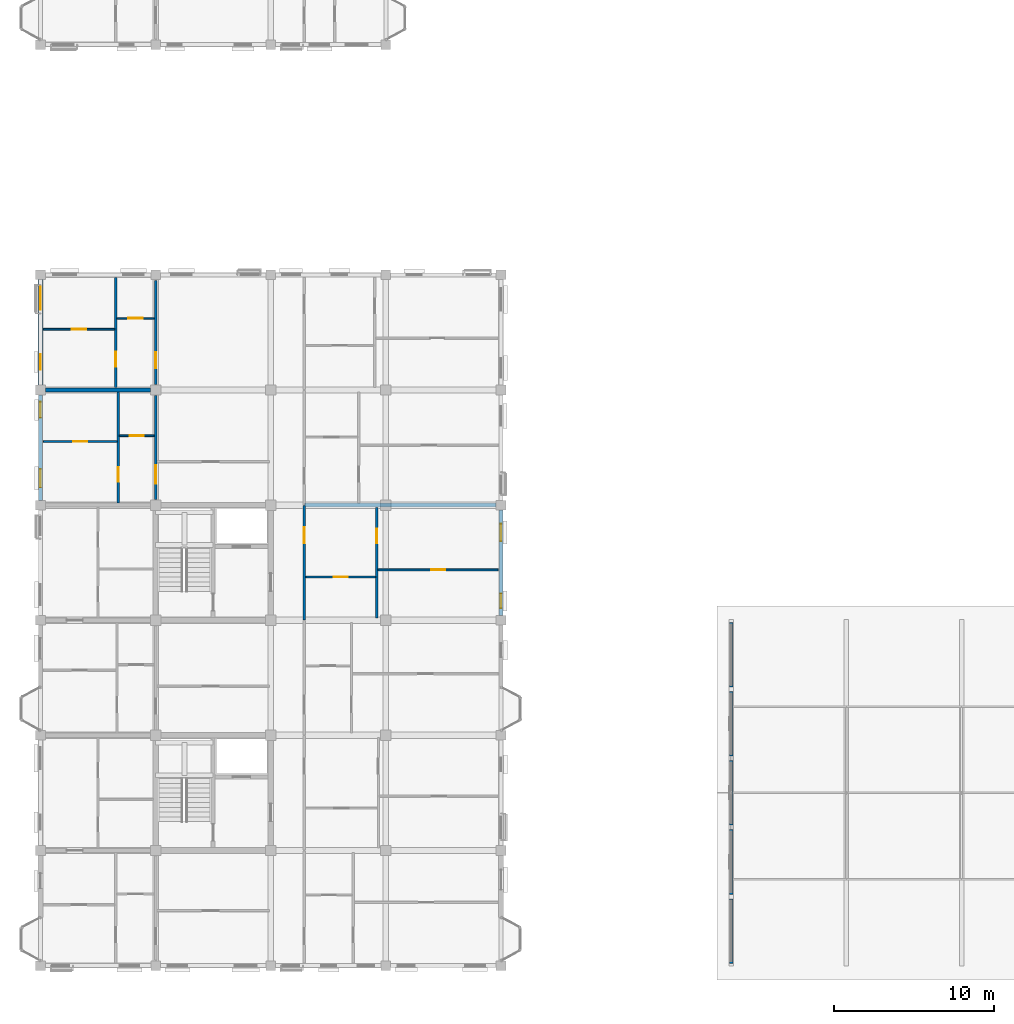
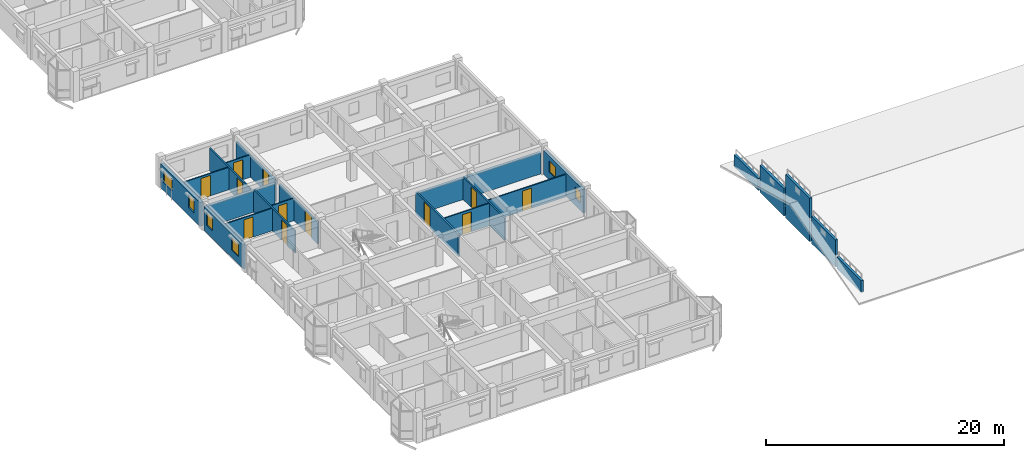
# One storey, part 92 of 124: 22 walls, 12 doors, 6 windows, 18 openings.
"""IFC4 building model written with IfcOpenShell, lengths in metres."""

import ifcopenshell
import ifcopenshell.guid

model = None  # the IFC model being written
_history = None  # IfcOwnerHistory: only IFC2X3 demands one
_inside = {}  # id of a spatial element -> (the spatial element, [elements in it])
_under = {}  # id of a project, library or spatial element -> (it, [spatial elements below it])
_declared = {}  # id of a project -> (the project, [libraries it declares])
_typed = {}  # id of a type object -> (the type object, [elements of that type])
_made_of = {}  # id of a material, layer set ... -> (it, [elements and type objects made of it])


def new_model(schema):
    """Start an empty IFC model of exactly this schema.

    Asked for "IFC4X3", IfcOpenShell would pick the latest addendum, in which some entities
    have other attributes; the version numbers below select the first issue.
    IFC2X3 requires an IfcOwnerHistory on every rooted entity: one is made here for all.
    """
    global model, _history
    if schema == "IFC4X3":
        model = ifcopenshell.file(schema_version=(4, 3, 0, 0))
    else:
        model = ifcopenshell.file(schema=schema)
    _inside.clear()
    _under.clear()
    _declared.clear()
    _typed.clear()
    _made_of.clear()
    _history = None
    if model.schema == "IFC2X3":
        org = make("IfcOrganization", Name="unknown")
        user = make(
            "IfcPersonAndOrganization",
            ThePerson=make("IfcPerson", FamilyName="unknown"),
            TheOrganization=org,
        )
        app = make(
            "IfcApplication",
            ApplicationDeveloper=org,
            Version="unknown",
            ApplicationFullName="unknown",
            ApplicationIdentifier="unknown",
        )
        _history = make(
            "IfcOwnerHistory",
            OwningUser=user,
            OwningApplication=app,
            ChangeAction="ADDED",
            CreationDate=0,
        )
    return model


def make(cls, **values):
    """One entity of the class cls with the attributes given. An attribute that is None is left unset."""
    return model.create_entity(
        cls, **{name: value for name, value in values.items() if value is not None}
    )


def rooted(cls, **values):
    """An entity with a GlobalId (a new one), such as an element, a storey or a relation."""
    return make(cls, GlobalId=ifcopenshell.guid.new(), OwnerHistory=_history, **values)


def si_unit(unit_type, name, prefix=None):
    """IfcSIUnit, for example si_unit("LENGTHUNIT", "METRE", prefix="MILLI")."""
    return make("IfcSIUnit", UnitType=unit_type, Prefix=prefix, Name=name)


def assignment(units):
    """IfcUnitAssignment: the units of a project."""
    return None if units is None else make("IfcUnitAssignment", Units=units)


def point(xyz):
    """IfcCartesianPoint."""
    return None if xyz is None else make("IfcCartesianPoint", Coordinates=xyz)


def direction(xyz):
    """IfcDirection."""
    return None if xyz is None else make("IfcDirection", DirectionRatios=xyz)


def frame(location, z_axis=None, x_axis=None):
    """IfcAxis2Placement3D, a coordinate frame: its origin and axes. An axis left out is left unset."""
    return make(
        "IfcAxis2Placement3D",
        Location=point(location),
        Axis=direction(z_axis),
        RefDirection=direction(x_axis),
    )


def frame_2d(location, x_axis=None):
    """IfcAxis2Placement2D, a coordinate frame in the plane: its origin and x axis."""
    return make(
        "IfcAxis2Placement2D", Location=point(location), RefDirection=direction(x_axis)
    )


def origin():
    """The frame at (0, 0, 0) with its axes left unset."""
    return frame((0.0, 0.0, 0.0))


def place(relative_to, where):
    """IfcLocalPlacement: puts the frame where relative to a parent placement (None: the world)."""
    return make(
        "IfcLocalPlacement", PlacementRelTo=relative_to, RelativePlacement=where
    )


def context(
    kind, dimensions, precision=None, world=None, true_north=None, identifier=None
):
    """IfcGeometricRepresentationContext, for example the 3D "Model" context."""
    return make(
        "IfcGeometricRepresentationContext",
        ContextIdentifier=identifier,
        ContextType=kind,
        CoordinateSpaceDimension=dimensions,
        Precision=precision,
        WorldCoordinateSystem=world,
        TrueNorth=true_north,
    )


def subcontext(parent, identifier, kind, view, scale=None):
    """IfcGeometricRepresentationSubContext, for example "Body" below "Model"."""
    return make(
        "IfcGeometricRepresentationSubContext",
        ContextIdentifier=identifier,
        ContextType=kind,
        ParentContext=parent,
        TargetScale=scale,
        TargetView=view,
    )


def project(units=None, contexts=None):
    """IfcProject with its units and contexts."""
    return rooted(
        "IfcProject",
        Name="project",
        RepresentationContexts=contexts,
        UnitsInContext=assignment(units),
    )


def spatial(cls, under=None, at=None, **own):
    """A site, building, storey or space (cls), placed at a placement, below another one or the project."""
    s = rooted(cls, ObjectPlacement=at, **own)
    if under is not None:
        _under.setdefault(under.id(), (under, []))[1].append(s)
    return s


def profile(cls, at=None, kind="AREA", **sizes):
    """A parametric profile (cls). Its sizes go by their IFC names, for example OverallWidth=200.0."""
    return make(cls, ProfileType=kind, Position=at, **sizes)


def rectangle(**sizes):
    """IfcRectangleProfileDef."""
    return profile("IfcRectangleProfileDef", **sizes)


def extrude(swept, where, along, depth):
    """IfcExtrudedAreaSolid: the profile swept, set in the frame where, extruded along a direction by depth."""
    return make(
        "IfcExtrudedAreaSolid",
        SweptArea=swept,
        Position=where,
        ExtrudedDirection=direction(along),
        Depth=depth,
    )


def shape(context_of_items, identifier, shape_type, items):
    """IfcShapeRepresentation: the items that make up one representation, for example the "Body"."""
    return make(
        "IfcShapeRepresentation",
        ContextOfItems=context_of_items,
        RepresentationIdentifier=identifier,
        RepresentationType=shape_type,
        Items=items,
    )


def material(Name=None, Category=None):
    """IfcMaterial."""
    return make("IfcMaterial", Name=Name, Category=Category)


def layer(
    of_material, thickness, ventilated=None, Name=None, Category=None, Priority=None
):
    """IfcMaterialLayer: one layer of a wall or slab, of a material (None: an air gap)."""
    return make(
        "IfcMaterialLayer",
        Material=of_material,
        LayerThickness=thickness,
        IsVentilated=ventilated,
        Name=Name,
        Category=Category,
        Priority=Priority,
    )


def layer_set(layers, Name=None):
    """IfcMaterialLayerSet."""
    return make("IfcMaterialLayerSet", MaterialLayers=layers, LayerSetName=Name)


def made_of(thing, what):
    """Note that an element or type object is made of a material, layer set ...; save() writes the relation."""
    if what is not None:
        _made_of.setdefault(what.id(), (what, []))[1].append(thing)
    return thing


def type_object(cls, material=None, **own):
    """A type object (cls), such as IfcWallType, which elements share."""
    return made_of(rooted(cls, **own), material)


def element(
    cls,
    number,
    at=None,
    inside=None,
    cuts=None,
    type_object=None,
    material=None,
    context=None,
    identifier="Body",
    shape_type=None,
    held_by="IfcProductDefinitionShape",
    body=None,
    shapes=None,
    **own,
):
    """One element of the class cls, such as IfcWall. Its Tag is "e" and its number.

    at: its placement. inside: the storey or other place that contains it. cuts: it is an
    opening in that element (IfcRelVoidsElement). A single representation is given by context,
    identifier, shape_type and body (its items); several are given by shapes. held_by: the class
    of the entity that holds the representations. save() writes the other relations.
    """
    e = rooted(cls, Tag="e%d" % number, ObjectPlacement=at, **own)
    if body is not None:
        shapes = [shape(context, identifier, shape_type, body)]
    if shapes is not None:
        e.Representation = make(held_by, Representations=shapes)
    if inside is not None:
        _inside.setdefault(inside.id(), (inside, []))[1].append(e)
    if cuts is not None:
        rooted(
            "IfcRelVoidsElement", RelatingBuildingElement=cuts, RelatedOpeningElement=e
        )
    if type_object is not None:
        _typed.setdefault(type_object.id(), (type_object, []))[1].append(e)
    return made_of(e, material)


def fill(opening, filler):
    """IfcRelFillsElement: the door or window that sits in an opening."""
    return rooted(
        "IfcRelFillsElement",
        RelatingOpeningElement=opening,
        RelatedBuildingElement=filler,
    )


def aggregate(whole, parts):
    """IfcRelAggregates: a whole, such as a stair, and the parts it consists of."""
    return rooted("IfcRelAggregates", RelatingObject=whole, RelatedObjects=parts)


def save(model, path):
    """Write the relations noted so far, then the file.

    IfcRelAggregates (storeys below a building ...), IfcRelContainedInSpatialStructure (elements
    in a storey), IfcRelDefinesByType, IfcRelAssociatesMaterial and IfcRelDeclares: one each for
    every whole, place, type object, material and project.
    """
    for whole, parts in _under.values():
        aggregate(whole, parts)
    for where, things in _inside.values():
        rooted(
            "IfcRelContainedInSpatialStructure",
            RelatedElements=things,
            RelatingStructure=where,
        )
    for kind, things in _typed.values():
        rooted("IfcRelDefinesByType", RelatedObjects=things, RelatingType=kind)
    for what, things in _made_of.values():
        rooted("IfcRelAssociatesMaterial", RelatedObjects=things, RelatingMaterial=what)
    for by, libraries in _declared.values():
        rooted("IfcRelDeclares", RelatingContext=by, RelatedDefinitions=libraries)
    model.write(path)


model = new_model("IFC4")

# Units and contexts
model_context = context("Model", 3, precision=1e-05, world=origin(), true_north=direction((0.0, 1.0)))
body_context = subcontext(model_context, "Body", "Model", "MODEL_VIEW")
ifc_project = project(units=[si_unit("LENGTHUNIT", "METRE"), si_unit("AREAUNIT", "SQUARE_METRE"), si_unit("VOLUMEUNIT", "CUBIC_METRE"), si_unit("PLANEANGLEUNIT", "RADIAN"), si_unit("MASSUNIT", "GRAM", prefix="KILO"), si_unit("THERMODYNAMICTEMPERATUREUNIT", "KELVIN"), si_unit("POWERUNIT", "WATT")], contexts=[model_context])

# Site, building, storey
site_placement = place(None, origin())
site = spatial("IfcSite", under=ifc_project, at=site_placement, CompositionType="ELEMENT")
building_placement = place(site_placement, origin())
building = spatial("IfcBuilding", under=site, at=building_placement, Name="Tavuni Mirador Residences", CompositionType="ELEMENT")
storey_placement = place(building_placement, frame((0.0, 0.0, 7.64990234375)))
storey = spatial("IfcBuildingStorey", under=building, at=storey_placement, Name="L02", CompositionType="ELEMENT", Elevation=7.64990234375)

# Wall, opening, door
ifc_material_1 = material(Name="Precast concrete C40/50", Category="concrete")
ifc_layer_1 = layer(ifc_material_1, 0.1650390625, Name="Precast concrete C40/50", Category="concrete")
ifc_layer_set_1 = layer_set([ifc_layer_1], Name="Precast concrete C40/50")
wall_type_1 = type_object("IfcWallType", Name="WT-CORR165", PredefinedType="PARTITIONING", material=ifc_layer_set_1)
wall_1_placement = place(storey_placement, frame((20.10009765625, 28.820068359375, 0.0), z_axis=(0.0, 0.0, 1.0), x_axis=(0.0, 1.0, 0.0)))
wall_1 = element("IfcWall", 1, at=wall_1_placement, inside=storey, type_object=wall_type_1, Name="CORW-BLK-A-L02-0-03", PredefinedType="PARTITIONING", context=body_context, shape_type="SweptSolid", body=[
    extrude(rectangle(XDim=7.159912109375, YDim=0.1650390625, at=frame_2d((3.580078125, 0.0))), origin(), (0.0, 0.0, 1.0), 2.30517578125),
])
opening_1_placement = place(wall_1_placement, frame((4.780029296875, 0.0, 0.0)))
opening_1 = element("IfcOpeningElement", 2, at=opening_1_placement, cuts=wall_1, Name="Opening D-03", PredefinedType="OPENING", context=body_context, shape_type="SweptSolid", body=[
    extrude(rectangle(XDim=1.0, YDim=2.14990234375, at=frame_2d((0.5, 1.074951171875))), frame((0.0, 0.092529296875, 0.0), z_axis=(0.0, -1.0, 0.0), x_axis=(1.0, 0.0, 0.0)), (0.0, 0.0, 1.0), 0.18505859375),
])
ifc_material_2 = material(Name="Solid core iroko timber", Category="wood")
door_type_1 = type_object("IfcDoorType", Name="DT-FD60-1000", OperationType="NOTDEFINED", PredefinedType="DOOR", material=ifc_material_2)
door_1_placement = place(opening_1_placement, origin())
door_1 = element("IfcDoor", 3, at=door_1_placement, inside=storey, type_object=door_type_1, Name="DR-2406", OperationType="SINGLE_SWING_LEFT", OverallHeight=2.14990234375, OverallWidth=1.0, PredefinedType="DOOR", context=body_context, shape_type="SweptSolid", body=[
    extrude(rectangle(XDim=1.0, YDim=2.14990234375, at=frame_2d((0.5, 1.074951171875))), frame((0.0, 0.02490234375, 0.0), z_axis=(0.0, -1.0, 0.0), x_axis=(1.0, 0.0, 0.0)), (0.0, 0.0, 1.0), 0.050048828125),
])
fill(opening_1, door_1)

wall_2_placement = place(storey_placement, frame((10.800048828125, 36.35009765625, 0.0), z_axis=(0.0, 0.0, 1.0), x_axis=(0.0, 1.0, 0.0)))
wall_2 = element("IfcWall", 4, at=wall_2_placement, inside=storey, type_object=wall_type_1, Name="CORW-BLK-A-L02-1-04", PredefinedType="PARTITIONING", context=body_context, shape_type="SweptSolid", body=[
    extrude(rectangle(XDim=6.5, YDim=0.1650390625, at=frame_2d((3.25, 0.0))), origin(), (0.0, 0.0, 1.0), 2.22021484375),
])
opening_2_placement = place(wall_2_placement, frame((1.0, 0.0, 0.0)))
opening_2 = element("IfcOpeningElement", 5, at=opening_2_placement, cuts=wall_2, Name="Opening D-20", PredefinedType="OPENING", context=body_context, shape_type="SweptSolid", body=[
    extrude(rectangle(XDim=1.139892578125, YDim=2.179931640625, at=frame_2d((0.56982421875, 1.08984375))), frame((0.0, 0.092529296875, 0.0), z_axis=(0.0, -1.0, 0.0), x_axis=(1.0, 0.0, 0.0)), (0.0, 0.0, 1.0), 0.18505859375),
])
door_type_2 = type_object("IfcDoorType", Name="DT-FD60-1140", OperationType="NOTDEFINED", PredefinedType="DOOR", material=ifc_material_2)
door_2_placement = place(opening_2_placement, origin())
door_2 = element("IfcDoor", 6, at=door_2_placement, inside=storey, type_object=door_type_2, Name="DR-2411", OperationType="SINGLE_SWING_RIGHT", OverallHeight=2.179931640625, OverallWidth=1.139892578125, PredefinedType="DOOR", context=body_context, shape_type="SweptSolid", body=[
    extrude(rectangle(XDim=1.139892578125, YDim=2.179931640625, at=frame_2d((0.56982421875, 1.08984375))), frame((0.0, 0.02490234375, 0.0), z_axis=(0.0, -1.0, 0.0), x_axis=(1.0, 0.0, 0.0)), (0.0, 0.0, 1.0), 0.050048828125),
])
fill(opening_2, door_2)

wall_3_placement = place(storey_placement, frame((10.800048828125, 43.550048828125, 0.0), z_axis=(0.0, 0.0, 1.0), x_axis=(0.0, 1.0, 0.0)))
wall_3 = element("IfcWall", 7, at=wall_3_placement, inside=storey, type_object=wall_type_1, Name="CORW-BLK-A-L02-1-05", PredefinedType="PARTITIONING", context=body_context, shape_type="SweptSolid", body=[
    extrude(rectangle(XDim=6.5, YDim=0.1650390625, at=frame_2d((3.25, 0.0))), origin(), (0.0, 0.0, 1.0), 2.22021484375),
])
opening_3_placement = place(wall_3_placement, frame((1.0, 0.0, 0.0)))
opening_3 = element("IfcOpeningElement", 8, at=opening_3_placement, cuts=wall_3, Name="Opening D-03", PredefinedType="OPENING", context=body_context, shape_type="SweptSolid", body=[
    extrude(rectangle(XDim=1.0, YDim=2.14990234375, at=frame_2d((0.5, 1.074951171875))), frame((0.0, 0.092529296875, 0.0), z_axis=(0.0, -1.0, 0.0), x_axis=(1.0, 0.0, 0.0)), (0.0, 0.0, 1.0), 0.18505859375),
])
door_3_placement = place(opening_3_placement, origin())
door_3 = element("IfcDoor", 9, at=door_3_placement, inside=storey, type_object=door_type_1, Name="DR-2412", OperationType="SINGLE_SWING_LEFT", OverallHeight=2.14990234375, OverallWidth=1.0, PredefinedType="DOOR", context=body_context, shape_type="SweptSolid", body=[
    extrude(rectangle(XDim=1.0, YDim=2.14990234375, at=frame_2d((0.5, 1.074951171875))), frame((0.0, 0.02490234375, 0.0), z_axis=(0.0, -1.0, 0.0), x_axis=(1.0, 0.0, 0.0)), (0.0, 0.0, 1.0), 0.050048828125),
])
fill(opening_3, door_3)

# Wall, openings, windows
ifc_layer_2 = layer(ifc_material_1, 0.330078125, Name="Precast concrete C40/50", Category="concrete")
ifc_layer_set_2 = layer_set([ifc_layer_2], Name="Precast concrete C40/50")
wall_type_2 = type_object("IfcWallType", Name="WT-EXT-COR330", PredefinedType="SOLIDWALL", material=ifc_layer_set_2)
wall_4_placement = place(storey_placement, frame((3.60009765625, 50.10009765625, 0.0), z_axis=(0.0, 0.0, 1.0), x_axis=(0.0, -1.0, 0.0)))
wall_4 = element("IfcWall", 10, at=wall_4_placement, inside=storey, type_object=wall_type_2, Name="EW-BLK-A-L02-W05", PredefinedType="SOLIDWALL", context=body_context, shape_type="SweptSolid", body=[
    extrude(rectangle(XDim=6.60009765625, YDim=0.330078125, at=frame_2d((3.300048828125, 0.0))), origin(), (0.0, 0.0, 1.0), 2.440185546875),
])
opening_4_placement = place(wall_4_placement, frame((0.449951171875, 0.0, 0.780029296875)))
opening_4 = element("IfcOpeningElement", 11, at=opening_4_placement, cuts=wall_4, Name="Opening WN-16", PredefinedType="OPENING", context=body_context, shape_type="SweptSolid", body=[
    extrude(rectangle(XDim=1.43994140625, YDim=1.260009765625, at=frame_2d((0.719970703125, 0.6298828125))), frame((0.0, 0.175048828125, 0.0), z_axis=(0.0, -1.0, 0.0), x_axis=(1.0, 0.0, 0.0)), (0.0, 0.0, 1.0), 0.35009765625),
])
opening_5_placement = place(wall_4_placement, frame((4.64990234375, 0.0, 0.780029296875)))
opening_5 = element("IfcOpeningElement", 12, at=opening_5_placement, cuts=wall_4, Name="Opening WN-18", PredefinedType="OPENING", context=body_context, shape_type="SweptSolid", body=[
    extrude(rectangle(XDim=0.97998046875, YDim=1.360107421875, at=frame_2d((0.489990234375, 0.68017578125))), frame((0.0, 0.175048828125, 0.0), z_axis=(0.0, -1.0, 0.0), x_axis=(1.0, 0.0, 0.0)), (0.0, 0.0, 1.0), 0.35009765625),
])
ifc_material_3 = material(Name="Laminated solar-control glass", Category="glass")
window_type_1 = type_object("IfcWindowType", Name="WNT-16", PartitioningType="SINGLE_PANEL", PredefinedType="WINDOW", material=ifc_material_3)
window_1_placement = place(opening_4_placement, origin())
window_1 = element("IfcWindow", 13, at=window_1_placement, inside=storey, type_object=window_type_1, Name="WIN-0103", OverallHeight=1.260009765625, OverallWidth=1.43994140625, PartitioningType="SINGLE_PANEL", PredefinedType="WINDOW", context=body_context, shape_type="SweptSolid", body=[
    extrude(rectangle(XDim=1.43994140625, YDim=1.260009765625, at=frame_2d((0.719970703125, 0.6298828125))), frame((0.0, 0.030029296875, 0.0), z_axis=(0.0, -1.0, 0.0), x_axis=(1.0, 0.0, 0.0)), (0.0, 0.0, 1.0), 0.06005859375),
])
fill(opening_4, window_1)
window_type_2 = type_object("IfcWindowType", Name="WNT-18", PartitioningType="SINGLE_PANEL", PredefinedType="WINDOW", material=ifc_material_3)
window_2_placement = place(opening_5_placement, origin())
window_2 = element("IfcWindow", 14, at=window_2_placement, inside=storey, type_object=window_type_2, Name="WIN-0104", OverallHeight=1.360107421875, OverallWidth=0.97998046875, PartitioningType="SINGLE_PANEL", PredefinedType="WINDOW", context=body_context, shape_type="SweptSolid", body=[
    extrude(rectangle(XDim=0.97998046875, YDim=1.360107421875, at=frame_2d((0.489990234375, 0.68017578125))), frame((0.0, 0.030029296875, 0.0), z_axis=(0.0, -1.0, 0.0), x_axis=(1.0, 0.0, 0.0)), (0.0, 0.0, 1.0), 0.06005859375),
])
fill(opening_5, window_2)

ifc_material_4 = material(Name="Sgraffito lime-rendered precast concrete C40/50", Category="concrete")
ifc_layer_3 = layer(ifc_material_4, 0.2451171875, Name="Sgraffito lime-rendered precast concrete C40/50", Category="concrete")
ifc_layer_set_3 = layer_set([ifc_layer_3], Name="Sgraffito lime-rendered precast concrete C40/50")
wall_type_3 = type_object("IfcWallType", Name="WT-EXT-PC245", PredefinedType="SOLIDWALL", material=ifc_layer_set_3)
wall_5_placement = place(storey_placement, frame((3.60009765625, 42.89990234375, 0.0), z_axis=(0.0, 0.0, 1.0), x_axis=(0.0, -1.0, 0.0)))
wall_5 = element("IfcWall", 15, at=wall_5_placement, inside=storey, type_object=wall_type_3, Name="EW-BLK-A-L02-W04", PredefinedType="SOLIDWALL", context=body_context, shape_type="SweptSolid", body=[
    extrude(rectangle(XDim=6.599853515625, YDim=0.2451171875, at=frame_2d((3.2998046875, 0.0))), origin(), (0.0, 0.0, 1.0), 2.440185546875),
])
opening_6_placement = place(wall_5_placement, frame((0.449951171875, 0.0, 0.780029296875)))
opening_6 = element("IfcOpeningElement", 16, at=opening_6_placement, cuts=wall_5, Name="Opening WN-18", PredefinedType="OPENING", context=body_context, shape_type="SweptSolid", body=[
    extrude(rectangle(XDim=0.97998046875, YDim=1.360107421875, at=frame_2d((0.489990234375, 0.68017578125))), frame((0.0, 0.132568359375, 0.0), z_axis=(0.0, -1.0, 0.0), x_axis=(1.0, 0.0, 0.0)), (0.0, 0.0, 1.0), 0.26513671875),
])
opening_7_placement = place(wall_5_placement, frame((4.64990234375, 0.0, 0.780029296875)))
opening_7 = element("IfcOpeningElement", 17, at=opening_7_placement, cuts=wall_5, Name="Opening WN-20", PredefinedType="OPENING", context=body_context, shape_type="SweptSolid", body=[
    extrude(rectangle(XDim=1.139892578125, YDim=1.360107421875, at=frame_2d((0.56982421875, 0.68017578125))), frame((0.0, 0.132568359375, 0.0), z_axis=(0.0, -1.0, 0.0), x_axis=(1.0, 0.0, 0.0)), (0.0, 0.0, 1.0), 0.26513671875),
])
window_3_placement = place(opening_6_placement, origin())
window_3 = element("IfcWindow", 18, at=window_3_placement, inside=storey, type_object=window_type_2, Name="WIN-0105", OverallHeight=1.360107421875, OverallWidth=0.97998046875, PartitioningType="SINGLE_PANEL", PredefinedType="WINDOW", context=body_context, shape_type="SweptSolid", body=[
    extrude(rectangle(XDim=0.97998046875, YDim=1.360107421875, at=frame_2d((0.489990234375, 0.68017578125))), frame((0.0, 0.030029296875, 0.0), z_axis=(0.0, -1.0, 0.0), x_axis=(1.0, 0.0, 0.0)), (0.0, 0.0, 1.0), 0.06005859375),
])
fill(opening_6, window_3)
window_type_3 = type_object("IfcWindowType", Name="WNT-20", PartitioningType="SINGLE_PANEL", PredefinedType="WINDOW", material=ifc_material_3)
window_4_placement = place(opening_7_placement, origin())
window_4 = element("IfcWindow", 19, at=window_4_placement, inside=storey, type_object=window_type_3, Name="WIN-0106", OverallHeight=1.360107421875, OverallWidth=1.139892578125, PartitioningType="SINGLE_PANEL", PredefinedType="WINDOW", context=body_context, shape_type="SweptSolid", body=[
    extrude(rectangle(XDim=1.139892578125, YDim=1.360107421875, at=frame_2d((0.56982421875, 0.68017578125))), frame((0.0, 0.030029296875, 0.0), z_axis=(0.0, -1.0, 0.0), x_axis=(1.0, 0.0, 0.0)), (0.0, 0.0, 1.0), 0.06005859375),
])
fill(opening_7, window_4)

ifc_layer_4 = layer(ifc_material_4, 0.2548828125, Name="Sgraffito lime-rendered precast concrete C40/50", Category="concrete")
ifc_layer_set_4 = layer_set([ifc_layer_4], Name="Sgraffito lime-rendered precast concrete C40/50")
wall_type_4 = type_object("IfcWallType", Name="WT-EXT-PC255", PredefinedType="SOLIDWALL", material=ifc_layer_set_4)
wall_6_placement = place(storey_placement, frame((32.39990234375, 29.10009765625, 0.0), z_axis=(0.0, 0.0, 1.0), x_axis=(0.0, 1.0, 0.0)))
wall_6 = element("IfcWall", 20, at=wall_6_placement, inside=storey, type_object=wall_type_4, Name="EW-BLK-A-L02-E03", PredefinedType="SOLIDWALL", context=body_context, shape_type="SweptSolid", body=[
    extrude(rectangle(XDim=6.599853515625, YDim=0.2548828125, at=frame_2d((3.2998046875, 0.0))), origin(), (0.0, 0.0, 1.0), 2.440185546875),
])
opening_8_placement = place(wall_6_placement, frame((0.449951171875, 0.0, 0.780029296875)))
opening_8 = element("IfcOpeningElement", 21, at=opening_8_placement, cuts=wall_6, Name="Opening WN-02", PredefinedType="OPENING", context=body_context, shape_type="SweptSolid", body=[
    extrude(rectangle(XDim=0.919921875, YDim=1.14990234375, at=frame_2d((0.4599609375, 0.574951171875))), frame((0.0, 0.137451171875, 0.0), z_axis=(0.0, -1.0, 0.0), x_axis=(1.0, 0.0, 0.0)), (0.0, 0.0, 1.0), 0.27490234375),
])
opening_9_placement = place(wall_6_placement, frame((4.64990234375, 0.0, 0.780029296875)))
opening_9 = element("IfcOpeningElement", 22, at=opening_9_placement, cuts=wall_6, Name="Opening WN-04", PredefinedType="OPENING", context=body_context, shape_type="SweptSolid", body=[
    extrude(rectangle(XDim=1.080078125, YDim=1.14990234375, at=frame_2d((0.5400390625, 0.574951171875))), frame((0.0, 0.137451171875, 0.0), z_axis=(0.0, -1.0, 0.0), x_axis=(1.0, 0.0, 0.0)), (0.0, 0.0, 1.0), 0.27490234375),
])
window_type_4 = type_object("IfcWindowType", Name="WNT-02", PartitioningType="SINGLE_PANEL", PredefinedType="WINDOW", material=ifc_material_3)
window_5_placement = place(opening_8_placement, origin())
window_5 = element("IfcWindow", 23, at=window_5_placement, inside=storey, type_object=window_type_4, Name="WIN-0089", OverallHeight=1.14990234375, OverallWidth=0.919921875, PartitioningType="SINGLE_PANEL", PredefinedType="WINDOW", context=body_context, shape_type="SweptSolid", body=[
    extrude(rectangle(XDim=0.919921875, YDim=1.14990234375, at=frame_2d((0.4599609375, 0.574951171875))), frame((0.0, 0.030029296875, 0.0), z_axis=(0.0, -1.0, 0.0), x_axis=(1.0, 0.0, 0.0)), (0.0, 0.0, 1.0), 0.06005859375),
])
fill(opening_8, window_5)
window_type_5 = type_object("IfcWindowType", Name="WNT-04", PartitioningType="SINGLE_PANEL", PredefinedType="WINDOW", material=ifc_material_3)
window_6_placement = place(opening_9_placement, origin())
window_6 = element("IfcWindow", 24, at=window_6_placement, inside=storey, type_object=window_type_5, Name="WIN-0090", OverallHeight=1.14990234375, OverallWidth=1.080078125, PartitioningType="SINGLE_PANEL", PredefinedType="WINDOW", context=body_context, shape_type="SweptSolid", body=[
    extrude(rectangle(XDim=1.080078125, YDim=1.14990234375, at=frame_2d((0.5400390625, 0.574951171875))), frame((0.0, 0.030029296875, 0.0), z_axis=(0.0, -1.0, 0.0), x_axis=(1.0, 0.0, 0.0)), (0.0, 0.0, 1.0), 0.06005859375),
])
fill(opening_9, window_6)

# Walls
ifc_layer_5 = layer(ifc_material_1, 0.22509765625, Name="Precast concrete C40/50", Category="concrete")
ifc_layer_set_5 = layer_set([ifc_layer_5], Name="Precast concrete C40/50")
wall_type_5 = type_object("IfcWallType", Name="WT-PAR225", PredefinedType="PARAPET", material=ifc_layer_set_5)
wall_7_placement = place(storey_placement, frame((46.800048828125, 7.340087890625, 0.0), z_axis=(0.0, 0.0, 1.0), x_axis=(0.0, 1.0, 0.0)))
element("IfcWall", 25, at=wall_7_placement, inside=storey, type_object=wall_type_5, Name="CORON-PAV-SHOP-X0-0", PredefinedType="PARAPET", context=body_context, shape_type="SweptSolid", body=[
    extrude(rectangle(XDim=4.039794921875, YDim=0.22509765625, at=frame_2d((2.02001953125, 0.0))), origin(), (0.0, 0.0, 1.0), 1.22998046875),
])
wall_8_placement = place(storey_placement, frame((46.800048828125, 11.659912109375, 0.0), z_axis=(0.0, 0.0, 1.0), x_axis=(0.0, 1.0, 0.0)))
element("IfcWall", 26, at=wall_8_placement, inside=storey, type_object=wall_type_5, Name="CORON-PAV-SHOP-X0-1", PredefinedType="PARAPET", context=body_context, shape_type="SweptSolid", body=[
    extrude(rectangle(XDim=4.0400390625, YDim=0.22509765625, at=frame_2d((2.02001953125, 0.0))), origin(), (0.0, 0.0, 1.0), 2.7900390625),
])
wall_9_placement = place(storey_placement, frame((46.800048828125, 15.97998046875, 0.0), z_axis=(0.0, 0.0, 1.0), x_axis=(0.0, 1.0, 0.0)))
element("IfcWall", 27, at=wall_9_placement, inside=storey, type_object=wall_type_5, Name="CORON-PAV-SHOP-X0-2", PredefinedType="PARAPET", context=body_context, shape_type="SweptSolid", body=[
    extrude(rectangle(XDim=4.0400390625, YDim=0.22509765625, at=frame_2d((2.02001953125, 0.0))), origin(), (0.0, 0.0, 1.0), 4.4501953125),
])
wall_10_placement = place(storey_placement, frame((46.800048828125, 20.300048828125, 0.0), z_axis=(0.0, 0.0, 1.0), x_axis=(0.0, 1.0, 0.0)))
element("IfcWall", 28, at=wall_10_placement, inside=storey, type_object=wall_type_5, Name="CORON-PAV-SHOP-X0-3", PredefinedType="PARAPET", context=body_context, shape_type="SweptSolid", body=[
    extrude(rectangle(XDim=4.0400390625, YDim=0.22509765625, at=frame_2d((2.02001953125, 0.0))), origin(), (0.0, 0.0, 1.0), 2.7900390625),
])
wall_11_placement = place(storey_placement, frame((46.800048828125, 24.6201171875, 0.0), z_axis=(0.0, 0.0, 1.0), x_axis=(0.0, 1.0, 0.0)))
element("IfcWall", 29, at=wall_11_placement, inside=storey, type_object=wall_type_5, Name="CORON-PAV-SHOP-X0-4", PredefinedType="PARAPET", context=body_context, shape_type="SweptSolid", body=[
    extrude(rectangle(XDim=4.039794921875, YDim=0.22509765625, at=frame_2d((2.02001953125, 0.0))), origin(), (0.0, 0.0, 1.0), 1.22998046875),
])

# Wall, opening, door
ifc_material_5 = material(Name="Acoustic gypsum and concrete block partition", Category="concrete")
ifc_layer_6 = layer(ifc_material_5, 0.10498046875, Name="Acoustic gypsum and concrete block partition", Category="concrete")
ifc_layer_set_6 = layer_set([ifc_layer_6], Name="Acoustic gypsum and concrete block partition")
wall_type_6 = type_object("IfcWallType", Name="WT-PART105", PredefinedType="PARTITIONING", material=ifc_layer_set_6)
wall_12_placement = place(storey_placement, frame((20.18994140625, 31.5, 0.0), z_axis=(0.0, 0.0, 1.0), x_axis=(1.0, 0.0, 0.0)))
wall_12 = element("IfcWall", 30, at=wall_12_placement, inside=storey, type_object=wall_type_6, Name="PW-BLK-A-L02-E03-IN1", PredefinedType="PARTITIONING", context=body_context, shape_type="SweptSolid", body=[
    extrude(rectangle(XDim=4.3701171875, YDim=0.10498046875, at=frame_2d((2.18505859375, 0.0))), origin(), (0.0, 0.0, 1.0), 2.30517578125),
])
opening_10_placement = place(wall_12_placement, frame((1.75, 0.0, 0.0)))
opening_10 = element("IfcOpeningElement", 31, at=opening_10_placement, cuts=wall_12, Name="Opening D-10", PredefinedType="OPENING", context=body_context, shape_type="SweptSolid", body=[
    extrude(rectangle(XDim=0.8701171875, YDim=2.050048828125, at=frame_2d((0.43505859375, 1.02490234375))), frame((0.0, 0.0625, 0.0), z_axis=(0.0, -1.0, 0.0), x_axis=(1.0, 0.0, 0.0)), (0.0, 0.0, 1.0), 0.125),
])
door_type_3 = type_object("IfcDoorType", Name="DT-WC870", OperationType="NOTDEFINED", PredefinedType="DOOR", material=ifc_material_2)
door_4_placement = place(opening_10_placement, origin())
door_4 = element("IfcDoor", 32, at=door_4_placement, inside=storey, type_object=door_type_3, Name="DR-3012", OperationType="SINGLE_SWING_LEFT", OverallHeight=2.050048828125, OverallWidth=0.8701171875, PredefinedType="DOOR", context=body_context, shape_type="SweptSolid", body=[
    extrude(rectangle(XDim=0.8701171875, YDim=2.050048828125, at=frame_2d((0.43505859375, 1.02490234375))), frame((0.0, 0.02490234375, 0.0), z_axis=(0.0, -1.0, 0.0), x_axis=(1.0, 0.0, 0.0)), (0.0, 0.0, 1.0), 0.050048828125),
])
fill(opening_10, door_4)

wall_13_placement = place(storey_placement, frame((8.530029296875, 40.340087890625, 0.0), z_axis=(0.0, 0.0, 1.0), x_axis=(1.0, 0.0, 0.0)))
wall_13 = element("IfcWall", 33, at=wall_13_placement, inside=storey, type_object=wall_type_6, Name="PW-BLK-A-L02-W04-IN1", PredefinedType="PARTITIONING", context=body_context, shape_type="SweptSolid", body=[
    extrude(rectangle(XDim=2.179931640625, YDim=0.10498046875, at=frame_2d((1.08984375, 0.0))), origin(), (0.0, 0.0, 1.0), 2.30517578125),
])
opening_11_placement = place(wall_13_placement, frame((0.655029296875, 0.0, 0.0)))
opening_11 = element("IfcOpeningElement", 34, at=opening_11_placement, cuts=wall_13, Name="Opening D-10", PredefinedType="OPENING", context=body_context, shape_type="SweptSolid", body=[
    extrude(rectangle(XDim=0.8701171875, YDim=2.050048828125, at=frame_2d((0.43505859375, 1.02490234375))), frame((0.0, 0.0625, 0.0), z_axis=(0.0, -1.0, 0.0), x_axis=(1.0, 0.0, 0.0)), (0.0, 0.0, 1.0), 0.125),
])
door_5_placement = place(opening_11_placement, origin())
door_5 = element("IfcDoor", 35, at=door_5_placement, inside=storey, type_object=door_type_3, Name="DR-3016", OperationType="SINGLE_SWING_LEFT", OverallHeight=2.050048828125, OverallWidth=0.8701171875, PredefinedType="DOOR", context=body_context, shape_type="SweptSolid", body=[
    extrude(rectangle(XDim=0.8701171875, YDim=2.050048828125, at=frame_2d((0.43505859375, 1.02490234375))), frame((0.0, 0.02490234375, 0.0), z_axis=(0.0, -1.0, 0.0), x_axis=(1.0, 0.0, 0.0)), (0.0, 0.0, 1.0), 0.050048828125),
])
fill(opening_11, door_5)

wall_14_placement = place(storey_placement, frame((8.3701171875, 47.679931640625, 0.0), z_axis=(0.0, 0.0, 1.0), x_axis=(1.0, 0.0, 0.0)))
wall_14 = element("IfcWall", 36, at=wall_14_placement, inside=storey, type_object=wall_type_6, Name="PW-BLK-A-L02-W05-IN1", PredefinedType="PARTITIONING", context=body_context, shape_type="SweptSolid", body=[
    extrude(rectangle(XDim=2.33984375, YDim=0.10498046875, at=frame_2d((1.169921875, 0.0))), origin(), (0.0, 0.0, 1.0), 2.30517578125),
])
opening_12_placement = place(wall_14_placement, frame((0.719970703125, 0.0, 0.0)))
opening_12 = element("IfcOpeningElement", 37, at=opening_12_placement, cuts=wall_14, Name="Opening D-09", PredefinedType="OPENING", context=body_context, shape_type="SweptSolid", body=[
    extrude(rectangle(XDim=0.89990234375, YDim=2.050048828125, at=frame_2d((0.449951171875, 1.02490234375))), frame((0.0, 0.0625, 0.0), z_axis=(0.0, -1.0, 0.0), x_axis=(1.0, 0.0, 0.0)), (0.0, 0.0, 1.0), 0.125),
])
door_type_4 = type_object("IfcDoorType", Name="DT-WC900", OperationType="NOTDEFINED", PredefinedType="DOOR", material=ifc_material_2)
door_6_placement = place(opening_12_placement, origin())
door_6 = element("IfcDoor", 38, at=door_6_placement, inside=storey, type_object=door_type_4, Name="DR-3022", OperationType="SINGLE_SWING_RIGHT", OverallHeight=2.050048828125, OverallWidth=0.89990234375, PredefinedType="DOOR", context=body_context, shape_type="SweptSolid", body=[
    extrude(rectangle(XDim=0.89990234375, YDim=2.050048828125, at=frame_2d((0.449951171875, 1.02490234375))), frame((0.0, 0.02490234375, 0.0), z_axis=(0.0, -1.0, 0.0), x_axis=(1.0, 0.0, 0.0)), (0.0, 0.0, 1.0), 0.050048828125),
])
fill(opening_12, door_6)

ifc_layer_7 = layer(ifc_material_5, 0.114990234375, Name="Acoustic gypsum and concrete block partition", Category="concrete")
ifc_layer_set_7 = layer_set([ifc_layer_7], Name="Acoustic gypsum and concrete block partition")
wall_type_7 = type_object("IfcWallType", Name="WT-PART115", PredefinedType="PARTITIONING", material=ifc_layer_set_7)
wall_15_placement = place(storey_placement, frame((24.699951171875, 31.949951171875, 0.0), z_axis=(0.0, 0.0, 1.0), x_axis=(1.0, 0.0, 0.0)))
wall_15 = element("IfcWall", 39, at=wall_15_placement, inside=storey, type_object=wall_type_7, Name="PW-BLK-A-L02-E03-OUT", PredefinedType="PARTITIONING", context=body_context, shape_type="SweptSolid", body=[
    extrude(rectangle(XDim=7.525146484375, YDim=0.114990234375, at=frame_2d((3.7626953125, 0.0))), origin(), (0.0, 0.0, 1.0), 2.30517578125),
])
opening_13_placement = place(wall_15_placement, frame((3.322509765625, 0.0, 0.0)))
opening_13 = element("IfcOpeningElement", 40, at=opening_13_placement, cuts=wall_15, Name="Opening D-08", PredefinedType="OPENING", context=body_context, shape_type="SweptSolid", body=[
    extrude(rectangle(XDim=0.8798828125, YDim=2.080078125, at=frame_2d((0.43994140625, 1.0400390625))), frame((0.0, 0.0673828125, 0.0), z_axis=(0.0, -1.0, 0.0), x_axis=(1.0, 0.0, 0.0)), (0.0, 0.0, 1.0), 0.135009765625),
])
door_type_5 = type_object("IfcDoorType", Name="DT-BED880", OperationType="NOTDEFINED", PredefinedType="DOOR", material=ifc_material_2)
door_7_placement = place(opening_13_placement, origin())
door_7 = element("IfcDoor", 41, at=door_7_placement, inside=storey, type_object=door_type_5, Name="DR-3011", OperationType="SINGLE_SWING_RIGHT", OverallHeight=2.080078125, OverallWidth=0.8798828125, PredefinedType="DOOR", context=body_context, shape_type="SweptSolid", body=[
    extrude(rectangle(XDim=0.8798828125, YDim=2.080078125, at=frame_2d((0.43994140625, 1.0400390625))), frame((0.0, 0.02490234375, 0.0), z_axis=(0.0, -1.0, 0.0), x_axis=(1.0, 0.0, 0.0)), (0.0, 0.0, 1.0), 0.050048828125),
])
fill(opening_13, door_7)

wall_16_placement = place(storey_placement, frame((3.77490234375, 39.97998046875, 0.0), z_axis=(0.0, 0.0, 1.0), x_axis=(1.0, 0.0, 0.0)))
wall_16 = element("IfcWall", 42, at=wall_16_placement, inside=storey, type_object=wall_type_7, Name="PW-BLK-A-L02-W04-OUT", PredefinedType="PARTITIONING", context=body_context, shape_type="SweptSolid", body=[
    extrude(rectangle(XDim=4.614990234375, YDim=0.114990234375, at=frame_2d((2.3076171875, 0.0))), origin(), (0.0, 0.0, 1.0), 2.30517578125),
])
opening_14_placement = place(wall_16_placement, frame((1.867431640625, 0.0, 0.0)))
opening_14 = element("IfcOpeningElement", 43, at=opening_14_placement, cuts=wall_16, Name="Opening D-08", PredefinedType="OPENING", context=body_context, shape_type="SweptSolid", body=[
    extrude(rectangle(XDim=0.8798828125, YDim=2.080078125, at=frame_2d((0.43994140625, 1.0400390625))), frame((0.0, 0.0673828125, 0.0), z_axis=(0.0, -1.0, 0.0), x_axis=(1.0, 0.0, 0.0)), (0.0, 0.0, 1.0), 0.135009765625),
])
door_8_placement = place(opening_14_placement, origin())
door_8 = element("IfcDoor", 44, at=door_8_placement, inside=storey, type_object=door_type_5, Name="DR-3015", OperationType="SINGLE_SWING_RIGHT", OverallHeight=2.080078125, OverallWidth=0.8798828125, PredefinedType="DOOR", context=body_context, shape_type="SweptSolid", body=[
    extrude(rectangle(XDim=0.8798828125, YDim=2.080078125, at=frame_2d((0.43994140625, 1.0400390625))), frame((0.0, 0.02490234375, 0.0), z_axis=(0.0, -1.0, 0.0), x_axis=(1.0, 0.0, 0.0)), (0.0, 0.0, 1.0), 0.050048828125),
])
fill(opening_14, door_8)

wall_17_placement = place(storey_placement, frame((3.77490234375, 47.0, 0.0), z_axis=(0.0, 0.0, 1.0), x_axis=(1.0, 0.0, 0.0)))
wall_17 = element("IfcWall", 45, at=wall_17_placement, inside=storey, type_object=wall_type_7, Name="PW-BLK-A-L02-W05-OUT", PredefinedType="PARTITIONING", context=body_context, shape_type="SweptSolid", body=[
    extrude(rectangle(XDim=4.455078125, YDim=0.114990234375, at=frame_2d((2.2275390625, 0.0))), origin(), (0.0, 0.0, 1.0), 2.30517578125),
])
opening_15_placement = place(wall_17_placement, frame((1.777587890625, 0.0, 0.0)))
opening_15 = element("IfcOpeningElement", 46, at=opening_15_placement, cuts=wall_17, Name="Opening D-07", PredefinedType="OPENING", context=body_context, shape_type="SweptSolid", body=[
    extrude(rectangle(XDim=0.89990234375, YDim=2.10009765625, at=frame_2d((0.449951171875, 1.050048828125))), frame((0.0, 0.0673828125, 0.0), z_axis=(0.0, -1.0, 0.0), x_axis=(1.0, 0.0, 0.0)), (0.0, 0.0, 1.0), 0.135009765625),
])
door_type_6 = type_object("IfcDoorType", Name="DT-BED900", OperationType="NOTDEFINED", PredefinedType="DOOR", material=ifc_material_2)
door_9_placement = place(opening_15_placement, origin())
door_9 = element("IfcDoor", 47, at=door_9_placement, inside=storey, type_object=door_type_6, Name="DR-3021", OperationType="SINGLE_SWING_LEFT", OverallHeight=2.10009765625, OverallWidth=0.89990234375, PredefinedType="DOOR", context=body_context, shape_type="SweptSolid", body=[
    extrude(rectangle(XDim=0.89990234375, YDim=2.10009765625, at=frame_2d((0.449951171875, 1.050048828125))), frame((0.0, 0.02490234375, 0.0), z_axis=(0.0, -1.0, 0.0), x_axis=(1.0, 0.0, 0.0)), (0.0, 0.0, 1.0), 0.050048828125),
])
fill(opening_15, door_9)

ifc_layer_8 = layer(ifc_material_5, 0.139892578125, Name="Acoustic gypsum and concrete block partition", Category="concrete")
ifc_layer_set_8 = layer_set([ifc_layer_8], Name="Acoustic gypsum and concrete block partition")
wall_type_8 = type_object("IfcWallType", Name="WT-PART140", PredefinedType="PARTITIONING", material=ifc_layer_set_8)
wall_18_placement = place(storey_placement, frame((24.6298828125, 28.93994140625, 0.0), z_axis=(0.0, 0.0, 1.0), x_axis=(0.0, 1.0, 0.0)))
wall_18 = element("IfcWall", 48, at=wall_18_placement, inside=storey, type_object=wall_type_8, Name="PW-BLK-A-L02-E03-MID", PredefinedType="PARTITIONING", context=body_context, shape_type="SweptSolid", body=[
    extrude(rectangle(XDim=6.920166015625, YDim=0.139892578125, at=frame_2d((3.4599609375, 0.0))), origin(), (0.0, 0.0, 1.0), 2.30517578125),
])
opening_16_placement = place(wall_18_placement, frame((4.659912109375, 0.0, 0.0)))
opening_16 = element("IfcOpeningElement", 49, at=opening_16_placement, cuts=wall_18, Name="Opening D-06", PredefinedType="OPENING", context=body_context, shape_type="SweptSolid", body=[
    extrude(rectangle(XDim=0.919921875, YDim=2.10009765625, at=frame_2d((0.4599609375, 1.050048828125))), frame((0.0, 0.080078125, 0.0), z_axis=(0.0, -1.0, 0.0), x_axis=(1.0, 0.0, 0.0)), (0.0, 0.0, 1.0), 0.159912109375),
])
door_type_7 = type_object("IfcDoorType", Name="DT-INT920", OperationType="NOTDEFINED", PredefinedType="DOOR", material=ifc_material_2)
door_10_placement = place(opening_16_placement, origin())
door_10 = element("IfcDoor", 50, at=door_10_placement, inside=storey, type_object=door_type_7, Name="DR-3013", OperationType="SINGLE_SWING_RIGHT", OverallHeight=2.10009765625, OverallWidth=0.919921875, PredefinedType="DOOR", context=body_context, shape_type="SweptSolid", body=[
    extrude(rectangle(XDim=0.919921875, YDim=2.10009765625, at=frame_2d((0.4599609375, 1.050048828125))), frame((0.0, 0.02490234375, 0.0), z_axis=(0.0, -1.0, 0.0), x_axis=(1.0, 0.0, 0.0)), (0.0, 0.0, 1.0), 0.050048828125),
])
fill(opening_16, door_10)

wall_19_placement = place(storey_placement, frame((8.4599609375, 36.139892578125, 0.0), z_axis=(0.0, 0.0, 1.0), x_axis=(0.0, 1.0, 0.0)))
wall_19 = element("IfcWall", 51, at=wall_19_placement, inside=storey, type_object=wall_type_8, Name="PW-BLK-A-L02-W04-MID", PredefinedType="PARTITIONING", context=body_context, shape_type="SweptSolid", body=[
    extrude(rectangle(XDim=6.920166015625, YDim=0.139892578125, at=frame_2d((3.4599609375, 0.0))), origin(), (0.0, 0.0, 1.0), 2.30517578125),
])
opening_17_placement = place(wall_19_placement, frame((1.31005859375, 0.0, 0.0)))
opening_17 = element("IfcOpeningElement", 52, at=opening_17_placement, cuts=wall_19, Name="Opening D-06", PredefinedType="OPENING", context=body_context, shape_type="SweptSolid", body=[
    extrude(rectangle(XDim=0.919921875, YDim=2.10009765625, at=frame_2d((0.4599609375, 1.050048828125))), frame((0.0, 0.080078125, 0.0), z_axis=(0.0, -1.0, 0.0), x_axis=(1.0, 0.0, 0.0)), (0.0, 0.0, 1.0), 0.159912109375),
])
door_11_placement = place(opening_17_placement, origin())
door_11 = element("IfcDoor", 53, at=door_11_placement, inside=storey, type_object=door_type_7, Name="DR-3017", OperationType="SINGLE_SWING_RIGHT", OverallHeight=2.10009765625, OverallWidth=0.919921875, PredefinedType="DOOR", context=body_context, shape_type="SweptSolid", body=[
    extrude(rectangle(XDim=0.919921875, YDim=2.10009765625, at=frame_2d((0.4599609375, 1.050048828125))), frame((0.0, 0.02490234375, 0.0), z_axis=(0.0, -1.0, 0.0), x_axis=(1.0, 0.0, 0.0)), (0.0, 0.0, 1.0), 0.050048828125),
])
fill(opening_17, door_11)

wall_20_placement = place(storey_placement, frame((8.300048828125, 43.340087890625, 0.0), z_axis=(0.0, 0.0, 1.0), x_axis=(0.0, 1.0, 0.0)))
wall_20 = element("IfcWall", 54, at=wall_20_placement, inside=storey, type_object=wall_type_8, Name="PW-BLK-A-L02-W05-MID", PredefinedType="PARTITIONING", context=body_context, shape_type="SweptSolid", body=[
    extrude(rectangle(XDim=6.885009765625, YDim=0.139892578125, at=frame_2d((3.4423828125, 0.0))), origin(), (0.0, 0.0, 1.0), 2.30517578125),
])
opening_18_placement = place(wall_20_placement, frame((1.31005859375, 0.0, 0.0)))
opening_18 = element("IfcOpeningElement", 55, at=opening_18_placement, cuts=wall_20, Name="Opening D-05", PredefinedType="OPENING", context=body_context, shape_type="SweptSolid", body=[
    extrude(rectangle(XDim=0.949951171875, YDim=2.10009765625, at=frame_2d((0.47509765625, 1.050048828125))), frame((0.0, 0.080078125, 0.0), z_axis=(0.0, -1.0, 0.0), x_axis=(1.0, 0.0, 0.0)), (0.0, 0.0, 1.0), 0.159912109375),
])
door_type_8 = type_object("IfcDoorType", Name="DT-INT950", OperationType="NOTDEFINED", PredefinedType="DOOR", material=ifc_material_2)
door_12_placement = place(opening_18_placement, origin())
door_12 = element("IfcDoor", 56, at=door_12_placement, inside=storey, type_object=door_type_8, Name="DR-3023", OperationType="SINGLE_SWING_LEFT", OverallHeight=2.10009765625, OverallWidth=0.949951171875, PredefinedType="DOOR", context=body_context, shape_type="SweptSolid", body=[
    extrude(rectangle(XDim=0.949951171875, YDim=2.10009765625, at=frame_2d((0.47509765625, 1.050048828125))), frame((0.0, 0.02490234375, 0.0), z_axis=(0.0, -1.0, 0.0), x_axis=(1.0, 0.0, 0.0)), (0.0, 0.0, 1.0), 0.050048828125),
])
fill(opening_18, door_12)

# Walls
ifc_layer_9 = layer(ifc_material_1, 0.264892578125, Name="Precast concrete C40/50", Category="concrete")
ifc_layer_set_9 = layer_set([ifc_layer_9], Name="Precast concrete C40/50")
wall_type_9 = type_object("IfcWallType", Name="WT-XW265", PredefinedType="SOLIDWALL", material=ifc_layer_set_9)
wall_21_placement = place(storey_placement, frame((20.10009765625, 36.0, 0.0), z_axis=(0.0, 0.0, 1.0), x_axis=(1.0, 0.0, 0.0)))
element("IfcWall", 57, at=wall_21_placement, inside=storey, type_object=wall_type_9, Name="XW-BLK-A-L02-E-04", PredefinedType="SOLIDWALL", context=body_context, shape_type="SweptSolid", body=[
    extrude(rectangle(XDim=12.0, YDim=0.264892578125, at=frame_2d((6.0, 0.0))), origin(), (0.0, 0.0, 1.0), 2.170166015625),
])
wall_22_placement = place(storey_placement, frame((3.89990234375, 43.199951171875, 0.0), z_axis=(0.0, 0.0, 1.0), x_axis=(1.0, 0.0, 0.0)))
element("IfcWall", 58, at=wall_22_placement, inside=storey, type_object=wall_type_9, Name="XW-BLK-A-L02-W-05", PredefinedType="SOLIDWALL", context=body_context, shape_type="SweptSolid", body=[
    extrude(rectangle(XDim=6.5751953125, YDim=0.264892578125, at=frame_2d((3.28759765625, 0.0))), origin(), (0.0, 0.0, 1.0), 2.170166015625),
])

save(model, "model.ifc")
